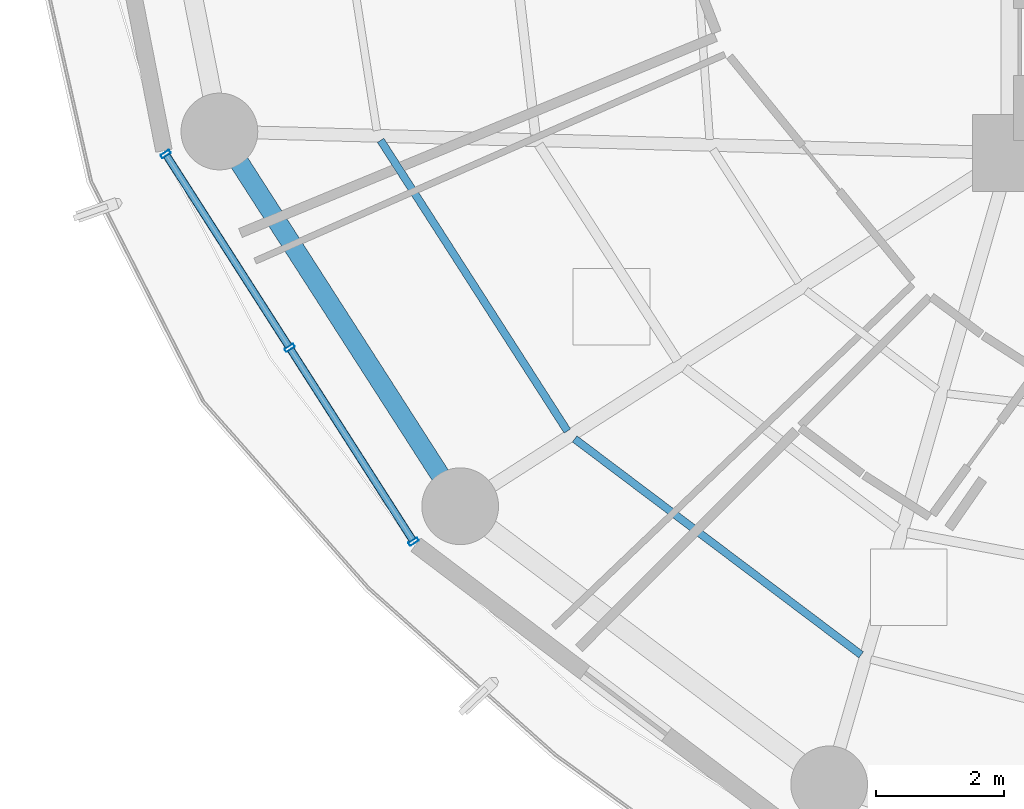
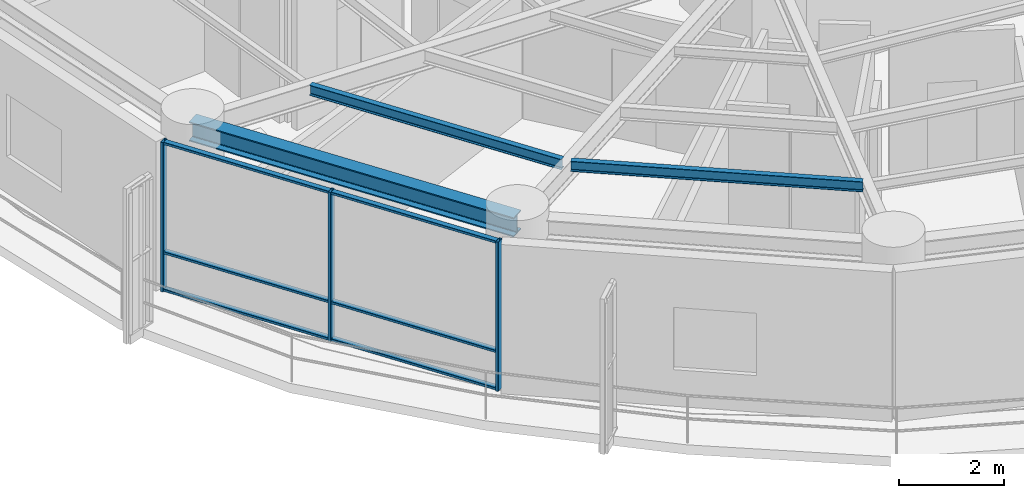
# One storey, part 2 of 27: 9 members, 3 beams, 1 element without a shape of its own.
"""IFC4 building model written with IfcOpenShell, lengths in metres."""

from ifc_helpers import new_model, si_unit, direction, frame, origin, origin_2d, place, context, subcontext, project, spatial, hollow_rectangle, i_section, extrude, material, layer, layer_set, material_profile, profile_set, type_object, element, aggregate, save


model = new_model("IFC4")

# Units and contexts
model_context = context("Model", 3, precision=1e-05, world=origin(), true_north=direction((0.0, 1.0)))
body_context = subcontext(model_context, "Body", "Model", "MODEL_VIEW")
ifc_project = project(units=[si_unit("LENGTHUNIT", "METRE"), si_unit("AREAUNIT", "SQUARE_METRE"), si_unit("VOLUMEUNIT", "CUBIC_METRE"), si_unit("PLANEANGLEUNIT", "RADIAN"), si_unit("MASSUNIT", "GRAM", prefix="KILO")], contexts=[model_context])

# Site, building, storey
site_placement = place(None, origin())
site = spatial("IfcSite", under=ifc_project, at=site_placement, CompositionType="ELEMENT")
building_placement = place(site_placement, origin())
building = spatial("IfcBuilding", under=site, at=building_placement, Name="Kelanora Arch Commons", CompositionType="ELEMENT")
storey_placement = place(building_placement, frame((0.0, 0.0, 150.60009765625)))
storey = spatial("IfcBuildingStorey", under=building, at=storey_placement, Name="L38", CompositionType="ELEMENT", Elevation=150.60009765625)

# Beams
ifc_material_1 = material(Name="Steel S355", Category="steel")
ifc_material_profile_1 = material_profile(ifc_material_1, i_section(OverallWidth=0.1201171875, OverallDepth=0.239990234375, WebThickness=0.006103515625, FlangeThickness=0.009765625, FilletRadius=0.014892578125, at=origin_2d()), Name="IPE240")
ifc_profile_set_1 = profile_set([ifc_material_profile_1], Name="Steel S355")
beam_type_1 = type_object("IfcBeamType", Name="BM-JST-02", PredefinedType="JOIST", material=ifc_profile_set_1)
beam_1_placement = place(storey_placement, frame((56.14794921875, 51.198486328125, 3.369873046875), z_axis=(0.540581678156, -0.841291536414, 0.0), x_axis=(0.841291536414, 0.540581678156, 0.0)))
element("IfcBeam", 1, at=beam_1_placement, inside=storey, type_object=beam_type_1, Name="Secondary Chord Joist BJC-20 L38", PredefinedType="JOIST", context=body_context, shape_type="SweptSolid", body=[
    extrude(i_section(OverallWidth=0.1201171875, OverallDepth=0.239990234375, WebThickness=0.006103515625, FlangeThickness=0.009765625, FilletRadius=0.014892578125, at=origin_2d()), origin(), (0.0, 0.0, 1.0), 5.4013671875),
])
beam_2_placement = place(storey_placement, frame((59.181640625, 46.531494140625, 3.369873046875), z_axis=(0.798493128577, -0.602003923256, 0.0), x_axis=(0.602003923256, 0.798493128577, 0.0)))
element("IfcBeam", 2, at=beam_2_placement, inside=storey, type_object=beam_type_1, Name="Secondary Chord Joist BJC-22 L38", PredefinedType="JOIST", context=body_context, shape_type="SweptSolid", body=[
    extrude(i_section(OverallWidth=0.1201171875, OverallDepth=0.239990234375, WebThickness=0.006103515625, FlangeThickness=0.009765625, FilletRadius=0.014892578125, at=origin_2d()), origin(), (0.0, 0.0, 1.0), 5.608642578125),
])
ifc_material_profile_2 = material_profile(ifc_material_1, i_section(OverallWidth=0.300048828125, OverallDepth=0.449951171875, WebThickness=0.013916015625, FlangeThickness=0.02587890625, FilletRadius=0.027099609375, at=origin_2d()), Name="HEB450")
ifc_profile_set_2 = profile_set([ifc_material_profile_2], Name="Steel S355")
beam_type_2 = type_object("IfcBeamType", Name="BM-SPN-Z3", PredefinedType="SPANDREL", material=ifc_profile_set_2)
beam_3_placement = place(storey_placement, frame((53.62744140625, 51.33740234375, 3.264892578125), z_axis=(0.540576852469, -0.841294637196, 0.0), x_axis=(0.841294637196, 0.540576852469, 0.0)))
element("IfcBeam", 3, at=beam_3_placement, inside=storey, type_object=beam_type_2, Name="Perimeter Spandrel Beam BS-20 L38", PredefinedType="SPANDREL", context=body_context, shape_type="SweptSolid", body=[
    extrude(i_section(OverallWidth=0.300048828125, OverallDepth=0.449951171875, WebThickness=0.013916015625, FlangeThickness=0.02587890625, FilletRadius=0.027099609375, at=origin_2d()), origin(), (0.0, 0.0, 1.0), 6.964111328125),
])

# Curtain wall, members
ifc_material_2 = material(Name="Terracotta ceramic-fritted low-E glass and aluminium", Category="masonry")
ifc_layer = layer(ifc_material_2, 0.175048828125)
ifc_layer_set = layer_set([ifc_layer], Name="Terracotta ceramic-fritted low-E glass and aluminium")
curtain_wall_type = type_object("IfcCurtainWallType", Name="CW-SYS-02", PredefinedType="NOTDEFINED", material=ifc_layer_set)
curtain_wall_placement = place(storey_placement, origin())
curtain_wall = element("IfcCurtainWall", 4, at=curtain_wall_placement, inside=storey, type_object=curtain_wall_type, Name="Unitised Curtain Wall L38-B10", PredefinedType="NOTDEFINED")
ifc_material_3 = material(Name="Powder-coated aluminium terracotta", Category="masonry")
ifc_material_profile_3 = material_profile(ifc_material_3, hollow_rectangle(XDim=0.159912109375, YDim=0.06005859375, WallThickness=0.0048828125, InnerFilletRadius=0.0048828125, OuterFilletRadius=0.010009765625, at=origin_2d()), Name="CWM160x60")
ifc_profile_set_3 = profile_set([ifc_material_profile_3], Name="Powder-coated aluminium terracotta")
member_type_1 = type_object("IfcMemberType", Name="CWM-STD", PredefinedType="MULLION", material=ifc_profile_set_3)
member_1_placement = place(storey_placement, frame((52.787109375, 50.98486328125, 0.0), z_axis=(0.0, 0.0, 1.0), x_axis=(0.842422846546, 0.538816988983, 0.0)))
member_1 = element("IfcMember", 5, at=member_1_placement, type_object=member_type_1, Name="CW-02 mullion 1", PredefinedType="MULLION", context=body_context, shape_type="SweptSolid", body=[
    extrude(hollow_rectangle(XDim=0.159912109375, YDim=0.06005859375, WallThickness=0.0048828125, InnerFilletRadius=0.0048828125, OuterFilletRadius=0.010009765625, at=origin_2d()), origin(), (0.0, 0.0, 1.0), 3.474853515625),
])
member_2_placement = place(storey_placement, frame((54.72509765625, 47.954833984375, 0.0), z_axis=(0.0, 0.0, 1.0), x_axis=(0.842422846546, 0.538816988983, 0.0)))
member_2 = element("IfcMember", 6, at=member_2_placement, type_object=member_type_1, Name="CW-02 mullion 2", PredefinedType="MULLION", context=body_context, shape_type="SweptSolid", body=[
    extrude(hollow_rectangle(XDim=0.159912109375, YDim=0.06005859375, WallThickness=0.0048828125, InnerFilletRadius=0.0048828125, OuterFilletRadius=0.010009765625, at=origin_2d()), origin(), (0.0, 0.0, 1.0), 3.474853515625),
])
member_3_placement = place(storey_placement, frame((56.6630859375, 44.925048828125, 0.0), z_axis=(0.0, 0.0, 1.0), x_axis=(0.842422846546, 0.538816988983, 0.0)))
member_3 = element("IfcMember", 7, at=member_3_placement, type_object=member_type_1, Name="CW-02 mullion 3", PredefinedType="MULLION", context=body_context, shape_type="SweptSolid", body=[
    extrude(hollow_rectangle(XDim=0.159912109375, YDim=0.06005859375, WallThickness=0.0048828125, InnerFilletRadius=0.0048828125, OuterFilletRadius=0.010009765625, at=origin_2d()), origin(), (0.0, 0.0, 1.0), 3.474853515625),
])
ifc_material_profile_4 = material_profile(ifc_material_3, hollow_rectangle(XDim=0.1201171875, YDim=0.06005859375, WallThickness=0.0048828125, InnerFilletRadius=0.0048828125, OuterFilletRadius=0.010009765625, at=origin_2d()), Name="CWT120x60")
ifc_profile_set_4 = profile_set([ifc_material_profile_4], Name="Powder-coated aluminium terracotta")
member_type_2 = type_object("IfcMemberType", Name="CWT-STD", PredefinedType="USERDEFINED", material=ifc_profile_set_4)
member_4_placement = place(storey_placement, frame((52.80322265625, 50.959716796875, 0.02978515625), z_axis=(0.53883037555, -0.842414284295, 0.0), x_axis=(0.842414284295, 0.53883037555, 0.0)))
member_4 = element("IfcMember", 8, at=member_4_placement, type_object=member_type_2, Name="CW-02 transom 1.1", ObjectType="TRANSOM", PredefinedType="USERDEFINED", context=body_context, shape_type="SweptSolid", body=[
    extrude(hollow_rectangle(XDim=0.1201171875, YDim=0.06005859375, WallThickness=0.0048828125, InnerFilletRadius=0.0048828125, OuterFilletRadius=0.010009765625, at=origin_2d()), origin(), (0.0, 0.0, 1.0), 3.536865234375),
])
member_5_placement = place(storey_placement, frame((52.80322265625, 50.959716796875, 0.89990234375), z_axis=(0.53883037555, -0.842414284295, 0.0), x_axis=(0.842414284295, 0.53883037555, 0.0)))
member_5 = element("IfcMember", 9, at=member_5_placement, type_object=member_type_2, Name="CW-02 transom 1.2", ObjectType="TRANSOM", PredefinedType="USERDEFINED", context=body_context, shape_type="SweptSolid", body=[
    extrude(hollow_rectangle(XDim=0.1201171875, YDim=0.06005859375, WallThickness=0.0048828125, InnerFilletRadius=0.0048828125, OuterFilletRadius=0.010009765625, at=origin_2d()), origin(), (0.0, 0.0, 1.0), 3.536865234375),
])
member_6_placement = place(storey_placement, frame((52.80322265625, 50.959716796875, 3.44482421875), z_axis=(0.53883037555, -0.842414284295, 0.0), x_axis=(0.842414284295, 0.53883037555, 0.0)))
member_6 = element("IfcMember", 10, at=member_6_placement, type_object=member_type_2, Name="CW-02 transom 1.3", ObjectType="TRANSOM", PredefinedType="USERDEFINED", context=body_context, shape_type="SweptSolid", body=[
    extrude(hollow_rectangle(XDim=0.1201171875, YDim=0.06005859375, WallThickness=0.0048828125, InnerFilletRadius=0.0048828125, OuterFilletRadius=0.010009765625, at=origin_2d()), origin(), (0.0, 0.0, 1.0), 3.536865234375),
])
member_7_placement = place(storey_placement, frame((54.7412109375, 47.9296875, 0.02978515625), z_axis=(0.53883037555, -0.842414284295, 0.0), x_axis=(0.842414284295, 0.53883037555, 0.0)))
member_7 = element("IfcMember", 11, at=member_7_placement, type_object=member_type_2, Name="CW-02 transom 2.1", ObjectType="TRANSOM", PredefinedType="USERDEFINED", context=body_context, shape_type="SweptSolid", body=[
    extrude(hollow_rectangle(XDim=0.1201171875, YDim=0.06005859375, WallThickness=0.0048828125, InnerFilletRadius=0.0048828125, OuterFilletRadius=0.010009765625, at=origin_2d()), origin(), (0.0, 0.0, 1.0), 3.536865234375),
])
member_8_placement = place(storey_placement, frame((54.7412109375, 47.9296875, 0.89990234375), z_axis=(0.53883037555, -0.842414284295, 0.0), x_axis=(0.842414284295, 0.53883037555, 0.0)))
member_8 = element("IfcMember", 12, at=member_8_placement, type_object=member_type_2, Name="CW-02 transom 2.2", ObjectType="TRANSOM", PredefinedType="USERDEFINED", context=body_context, shape_type="SweptSolid", body=[
    extrude(hollow_rectangle(XDim=0.1201171875, YDim=0.06005859375, WallThickness=0.0048828125, InnerFilletRadius=0.0048828125, OuterFilletRadius=0.010009765625, at=origin_2d()), origin(), (0.0, 0.0, 1.0), 3.536865234375),
])
member_9_placement = place(storey_placement, frame((54.7412109375, 47.9296875, 3.44482421875), z_axis=(0.53883037555, -0.842414284295, 0.0), x_axis=(0.842414284295, 0.53883037555, 0.0)))
member_9 = element("IfcMember", 13, at=member_9_placement, type_object=member_type_2, Name="CW-02 transom 2.3", ObjectType="TRANSOM", PredefinedType="USERDEFINED", context=body_context, shape_type="SweptSolid", body=[
    extrude(hollow_rectangle(XDim=0.1201171875, YDim=0.06005859375, WallThickness=0.0048828125, InnerFilletRadius=0.0048828125, OuterFilletRadius=0.010009765625, at=origin_2d()), origin(), (0.0, 0.0, 1.0), 3.536865234375),
])
aggregate(curtain_wall, [member_1, member_2, member_3, member_4, member_5, member_6, member_7, member_8, member_9])

save(model, "model.ifc")
